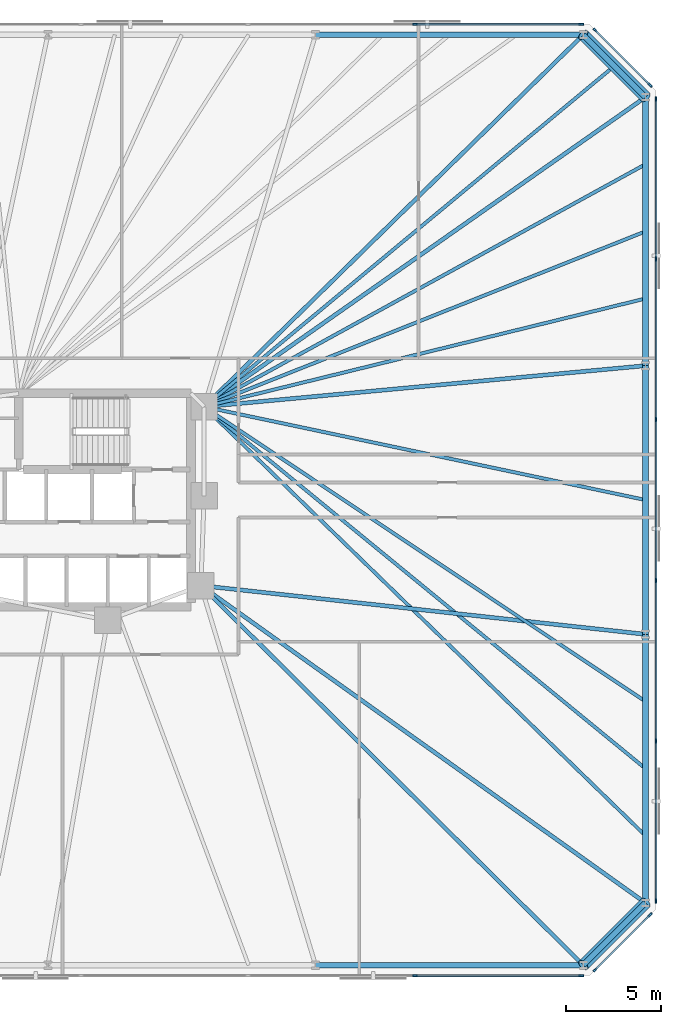
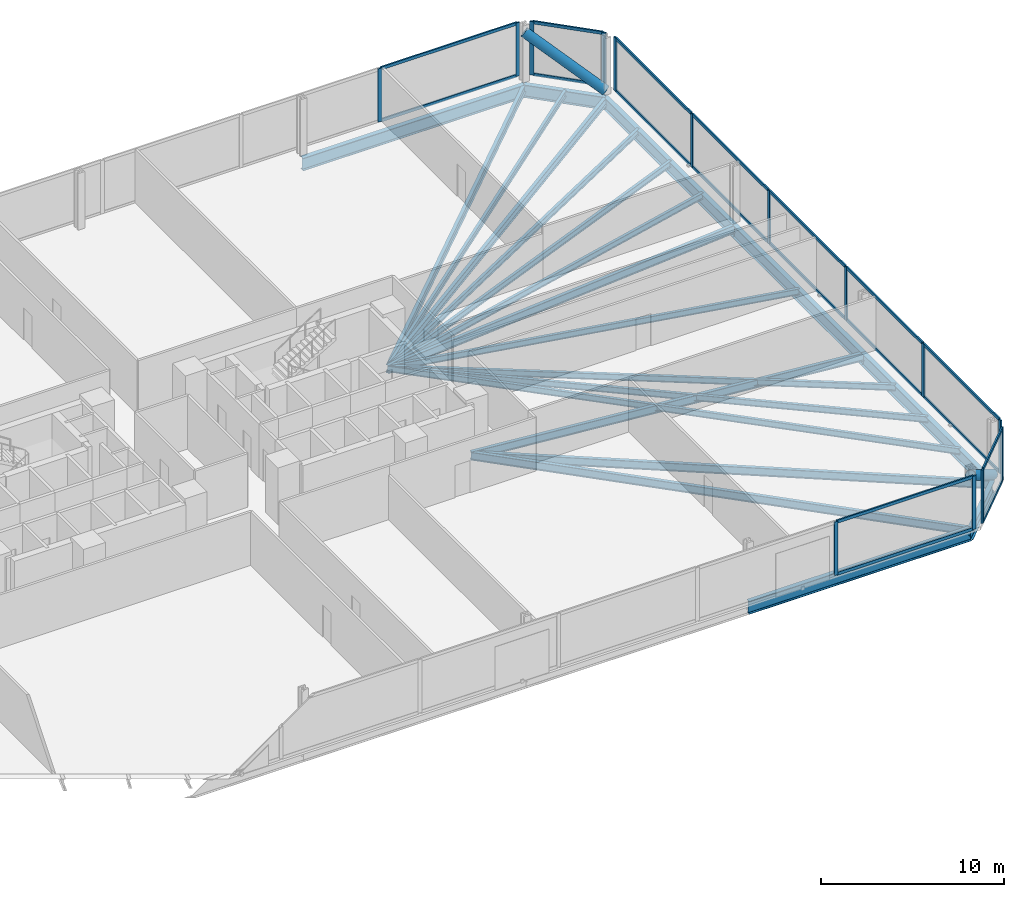
# One storey, part 10 of 17: 34 members, 21 beams, 5 elements without a shape of their own.
"""IFC4 building model written with IfcOpenShell, lengths in metres."""

from ifc_helpers import new_model, si_unit, direction, frame, origin, origin_2d, place, context, subcontext, project, spatial, rectangle, hollow_circle, i_section, extrude, material, material_profile, profile_set, type_object, element, aggregate, save


model = new_model("IFC4")

# Units and contexts
model_context = context("Model", 3, precision=1e-05, world=origin(), true_north=direction((0.0, 1.0)))
body_context = subcontext(model_context, "Body", "Model", "MODEL_VIEW")
ifc_project = project(units=[si_unit("LENGTHUNIT", "METRE"), si_unit("AREAUNIT", "SQUARE_METRE"), si_unit("VOLUMEUNIT", "CUBIC_METRE"), si_unit("PLANEANGLEUNIT", "RADIAN"), si_unit("MASSUNIT", "GRAM", prefix="KILO")], contexts=[model_context])

# Site, building, storey
site_placement = place(None, origin())
site = spatial("IfcSite", under=ifc_project, at=site_placement, CompositionType="ELEMENT")
building_placement = place(site_placement, origin())
building = spatial("IfcBuilding", under=site, at=building_placement, Name="Menara Jurai Vektor", CompositionType="ELEMENT")
storey_placement = place(building_placement, frame((0.0, 0.0, 21.800048828125)))
storey = spatial("IfcBuildingStorey", under=building, at=storey_placement, Name="L04", CompositionType="ELEMENT", Elevation=21.800048828125)

# Curtain wall, members
ifc_material_1 = material(Name="Anodised Pale Aluminium & Low-E Double Glazing", Category="aluminium")
curtain_wall_type = type_object("IfcCurtainWallType", Name="CW-BLK1", PredefinedType="NOTDEFINED", material=ifc_material_1)
curtain_wall_1_placement = place(storey_placement, origin())
curtain_wall_1 = element("IfcCurtainWall", 1, at=curtain_wall_1_placement, inside=storey, type_object=curtain_wall_type, Name="Unitised Curtain Wall L04 F01", PredefinedType="NOTDEFINED")
ifc_material_2 = material(Name="Anodised Pale Aluminium Mullion", Category="aluminium")
ifc_material_profile_1 = material_profile(ifc_material_2, rectangle(XDim=0.094970703125, YDim=0.239990234375, at=origin_2d()), Name="ALU MUL 95x240")
ifc_profile_set_1 = profile_set([ifc_material_profile_1], Name="Anodised Pale Aluminium Mullion")
member_type_1 = type_object("IfcMemberType", Name="CW-BLK1-MUL", PredefinedType="MULLION", material=ifc_profile_set_1)
member_1_placement = place(storey_placement, frame((26.340087890625, -25.0, 0.0), z_axis=(0.0, 0.0, 1.0), x_axis=(0.0, 1.0, 0.0)))
member_1 = element("IfcMember", 2, at=member_1_placement, type_object=member_type_1, Name="CW-01 mullion 8", PredefinedType="MULLION", context=body_context, shape_type="SweptSolid", body=[
    extrude(rectangle(XDim=0.094970703125, YDim=0.239990234375, at=origin_2d()), origin(), (0.0, 0.0, 1.0), 3.574951171875),
])
member_2_placement = place(storey_placement, frame((35.072509765625, -25.0, 0.0), z_axis=(0.0, 0.0, 1.0), x_axis=(0.0, 1.0, 0.0)))
member_2 = element("IfcMember", 3, at=member_2_placement, type_object=member_type_1, Name="CW-01 mullion 9", PredefinedType="MULLION", context=body_context, shape_type="SweptSolid", body=[
    extrude(rectangle(XDim=0.094970703125, YDim=0.239990234375, at=origin_2d()), origin(), (0.0, 0.0, 1.0), 3.574951171875),
])

curtain_wall_2_placement = place(storey_placement, origin())
curtain_wall_2 = element("IfcCurtainWall", 4, at=curtain_wall_2_placement, inside=storey, type_object=curtain_wall_type, Name="Unitised Curtain Wall L04 F02", PredefinedType="NOTDEFINED")
member_3_placement = place(storey_placement, frame((35.80224609375, -24.69775390625, 0.0), z_axis=(0.0, 0.0, 1.0), x_axis=(-0.707106781187, 0.707106781187, 0.0)))
member_3 = element("IfcMember", 5, at=member_3_placement, type_object=member_type_1, Name="CW-01 mullion 1", PredefinedType="MULLION", context=body_context, shape_type="SweptSolid", body=[
    extrude(rectangle(XDim=0.094970703125, YDim=0.239990234375, at=origin_2d()), origin(), (0.0, 0.0, 1.0), 3.574951171875),
])
member_4_placement = place(storey_placement, frame((38.69775390625, -21.80224609375, 0.0), z_axis=(0.0, 0.0, 1.0), x_axis=(-0.707106781187, 0.707106781187, 0.0)))
member_4 = element("IfcMember", 6, at=member_4_placement, type_object=member_type_1, Name="CW-01 mullion 2", PredefinedType="MULLION", context=body_context, shape_type="SweptSolid", body=[
    extrude(rectangle(XDim=0.094970703125, YDim=0.239990234375, at=origin_2d()), origin(), (0.0, 0.0, 1.0), 3.574951171875),
])

curtain_wall_3_placement = place(storey_placement, origin())
curtain_wall_3 = element("IfcCurtainWall", 7, at=curtain_wall_3_placement, inside=storey, type_object=curtain_wall_type, Name="Unitised Curtain Wall L04 F03", PredefinedType="NOTDEFINED")
member_5_placement = place(storey_placement, frame((39.0, -21.072509765625, 0.0), z_axis=(0.0, 0.0, 1.0), x_axis=(-1.0, 0.0, 0.0)))
member_5 = element("IfcMember", 8, at=member_5_placement, type_object=member_type_1, Name="CW-01 mullion 1", PredefinedType="MULLION", context=body_context, shape_type="SweptSolid", body=[
    extrude(rectangle(XDim=0.094970703125, YDim=0.239990234375, at=origin_2d()), origin(), (0.0, 0.0, 1.0), 3.574951171875),
])
member_6_placement = place(storey_placement, frame((39.0, -12.672119140625, 0.0), z_axis=(0.0, 0.0, 1.0), x_axis=(-1.0, 0.0, 0.0)))
member_6 = element("IfcMember", 9, at=member_6_placement, type_object=member_type_1, Name="CW-01 mullion 2", PredefinedType="MULLION", context=body_context, shape_type="SweptSolid", body=[
    extrude(rectangle(XDim=0.094970703125, YDim=0.239990234375, at=origin_2d()), origin(), (0.0, 0.0, 1.0), 3.574951171875),
])
member_7_placement = place(storey_placement, frame((39.0, -4.22412109375, 0.0), z_axis=(0.0, 0.0, 1.0), x_axis=(-1.0, 0.0, 0.0)))
member_7 = element("IfcMember", 10, at=member_7_placement, type_object=member_type_1, Name="CW-01 mullion 3", PredefinedType="MULLION", context=body_context, shape_type="SweptSolid", body=[
    extrude(rectangle(XDim=0.094970703125, YDim=0.239990234375, at=origin_2d()), origin(), (0.0, 0.0, 1.0), 3.574951171875),
])
member_8_placement = place(storey_placement, frame((39.0, 4.22412109375, 0.0), z_axis=(0.0, 0.0, 1.0), x_axis=(-1.0, 0.0, 0.0)))
member_8 = element("IfcMember", 11, at=member_8_placement, type_object=member_type_1, Name="CW-01 mullion 4", PredefinedType="MULLION", context=body_context, shape_type="SweptSolid", body=[
    extrude(rectangle(XDim=0.094970703125, YDim=0.239990234375, at=origin_2d()), origin(), (0.0, 0.0, 1.0), 3.574951171875),
])
member_9_placement = place(storey_placement, frame((39.0, 12.672119140625, 0.0), z_axis=(0.0, 0.0, 1.0), x_axis=(-1.0, 0.0, 0.0)))
member_9 = element("IfcMember", 12, at=member_9_placement, type_object=member_type_1, Name="CW-01 mullion 5", PredefinedType="MULLION", context=body_context, shape_type="SweptSolid", body=[
    extrude(rectangle(XDim=0.094970703125, YDim=0.239990234375, at=origin_2d()), origin(), (0.0, 0.0, 1.0), 3.574951171875),
])
member_10_placement = place(storey_placement, frame((39.0, 21.072509765625, 0.0), z_axis=(0.0, 0.0, 1.0), x_axis=(-1.0, 0.0, 0.0)))
member_10 = element("IfcMember", 13, at=member_10_placement, type_object=member_type_1, Name="CW-01 mullion 6", PredefinedType="MULLION", context=body_context, shape_type="SweptSolid", body=[
    extrude(rectangle(XDim=0.094970703125, YDim=0.239990234375, at=origin_2d()), origin(), (0.0, 0.0, 1.0), 3.574951171875),
])

curtain_wall_4_placement = place(storey_placement, origin())
curtain_wall_4 = element("IfcCurtainWall", 14, at=curtain_wall_4_placement, inside=storey, type_object=curtain_wall_type, Name="Unitised Curtain Wall L04 F04", PredefinedType="NOTDEFINED")
member_11_placement = place(storey_placement, frame((38.69775390625, 21.80224609375, 0.0), z_axis=(0.0, 0.0, 1.0), x_axis=(-0.707106781187, -0.707106781187, 0.0)))
member_11 = element("IfcMember", 15, at=member_11_placement, type_object=member_type_1, Name="CW-01 mullion 1", PredefinedType="MULLION", context=body_context, shape_type="SweptSolid", body=[
    extrude(rectangle(XDim=0.094970703125, YDim=0.239990234375, at=origin_2d()), origin(), (0.0, 0.0, 1.0), 3.574951171875),
])
member_12_placement = place(storey_placement, frame((35.80224609375, 24.69775390625, 0.0), z_axis=(0.0, 0.0, 1.0), x_axis=(-0.707106781187, -0.707106781187, 0.0)))
member_12 = element("IfcMember", 16, at=member_12_placement, type_object=member_type_1, Name="CW-01 mullion 2", PredefinedType="MULLION", context=body_context, shape_type="SweptSolid", body=[
    extrude(rectangle(XDim=0.094970703125, YDim=0.239990234375, at=origin_2d()), origin(), (0.0, 0.0, 1.0), 3.574951171875),
])

curtain_wall_5_placement = place(storey_placement, origin())
curtain_wall_5 = element("IfcCurtainWall", 17, at=curtain_wall_5_placement, inside=storey, type_object=curtain_wall_type, Name="Unitised Curtain Wall L04 F05", PredefinedType="NOTDEFINED")
member_13_placement = place(storey_placement, frame((35.072509765625, 25.0, 0.0), z_axis=(0.0, 0.0, 1.0), x_axis=(0.0, -1.0, 0.0)))
member_13 = element("IfcMember", 18, at=member_13_placement, type_object=member_type_1, Name="CW-01 mullion 1", PredefinedType="MULLION", context=body_context, shape_type="SweptSolid", body=[
    extrude(rectangle(XDim=0.094970703125, YDim=0.239990234375, at=origin_2d()), origin(), (0.0, 0.0, 1.0), 3.574951171875),
])
member_14_placement = place(storey_placement, frame((26.340087890625, 25.0, 0.0), z_axis=(0.0, 0.0, 1.0), x_axis=(0.0, -1.0, 0.0)))
member_14 = element("IfcMember", 19, at=member_14_placement, type_object=member_type_1, Name="CW-01 mullion 2", PredefinedType="MULLION", context=body_context, shape_type="SweptSolid", body=[
    extrude(rectangle(XDim=0.094970703125, YDim=0.239990234375, at=origin_2d()), origin(), (0.0, 0.0, 1.0), 3.574951171875),
])

# Member
ifc_material_3 = material(Name="Anodised Pale Aluminium Transom", Category="aluminium")
ifc_material_profile_2 = material_profile(ifc_material_3, rectangle(XDim=0.094970703125, YDim=0.199951171875, at=origin_2d()), Name="ALU TRN 95x200")
ifc_profile_set_2 = profile_set([ifc_material_profile_2], Name="Anodised Pale Aluminium Transom")
member_type_2 = type_object("IfcMemberType", Name="CW-BLK1-TRN", PredefinedType="USERDEFINED", material=ifc_profile_set_2)
member_15_placement = place(storey_placement, frame((26.387451171875, -25.0, 0.04736328125), z_axis=(1.0, 0.0, 0.0), x_axis=(0.0, 1.0, 0.0)))
member_15 = element("IfcMember", 20, at=member_15_placement, type_object=member_type_2, Name="CW-01 transom 8.1", ObjectType="TRANSOM", PredefinedType="USERDEFINED", context=body_context, shape_type="SweptSolid", body=[
    extrude(rectangle(XDim=0.094970703125, YDim=0.199951171875, at=origin_2d()), origin(), (0.0, 0.0, 1.0), 8.637451171875),
])

member_16_placement = place(storey_placement, frame((26.387451171875, -25.0, 3.52734375), z_axis=(1.0, 0.0, 0.0), x_axis=(0.0, 1.0, 0.0)))
member_16 = element("IfcMember", 21, at=member_16_placement, type_object=member_type_2, Name="CW-01 transom 8.2", ObjectType="TRANSOM", PredefinedType="USERDEFINED", context=body_context, shape_type="SweptSolid", body=[
    extrude(rectangle(XDim=0.094970703125, YDim=0.199951171875, at=origin_2d()), origin(), (0.0, 0.0, 1.0), 8.637451171875),
])

aggregate(curtain_wall_1, [member_1, member_2, member_15, member_16])

member_17_placement = place(storey_placement, frame((35.8359375, -24.6640625, 0.04736328125), z_axis=(0.707106781187, 0.707106781187, 0.0), x_axis=(-0.707106781187, 0.707106781187, 0.0)))
member_17 = element("IfcMember", 22, at=member_17_placement, type_object=member_type_2, Name="CW-01 transom 1.1", ObjectType="TRANSOM", PredefinedType="USERDEFINED", context=body_context, shape_type="SweptSolid", body=[
    extrude(rectangle(XDim=0.094970703125, YDim=0.199951171875, at=origin_2d()), origin(), (0.0, 0.0, 1.0), 3.99951171875),
])

member_18_placement = place(storey_placement, frame((35.8359375, -24.6640625, 3.52734375), z_axis=(0.707106781187, 0.707106781187, 0.0), x_axis=(-0.707106781187, 0.707106781187, 0.0)))
member_18 = element("IfcMember", 23, at=member_18_placement, type_object=member_type_2, Name="CW-01 transom 1.2", ObjectType="TRANSOM", PredefinedType="USERDEFINED", context=body_context, shape_type="SweptSolid", body=[
    extrude(rectangle(XDim=0.094970703125, YDim=0.199951171875, at=origin_2d()), origin(), (0.0, 0.0, 1.0), 3.99951171875),
])

aggregate(curtain_wall_2, [member_3, member_4, member_17, member_18])

member_19_placement = place(storey_placement, frame((39.0, -21.02490234375, 0.04736328125), z_axis=(0.0, 1.0, 0.0), x_axis=(-1.0, 0.0, 0.0)))
member_19 = element("IfcMember", 24, at=member_19_placement, type_object=member_type_2, Name="CW-01 transom 1.1", ObjectType="TRANSOM", PredefinedType="USERDEFINED", context=body_context, shape_type="SweptSolid", body=[
    extrude(rectangle(XDim=0.094970703125, YDim=0.199951171875, at=origin_2d()), origin(), (0.0, 0.0, 1.0), 8.305419921875),
])

member_20_placement = place(storey_placement, frame((39.0, -21.02490234375, 3.52734375), z_axis=(0.0, 1.0, 0.0), x_axis=(-1.0, 0.0, 0.0)))
member_20 = element("IfcMember", 25, at=member_20_placement, type_object=member_type_2, Name="CW-01 transom 1.2", ObjectType="TRANSOM", PredefinedType="USERDEFINED", context=body_context, shape_type="SweptSolid", body=[
    extrude(rectangle(XDim=0.094970703125, YDim=0.199951171875, at=origin_2d()), origin(), (0.0, 0.0, 1.0), 8.305419921875),
])

member_21_placement = place(storey_placement, frame((39.0, -12.62451171875, 0.04736328125), z_axis=(0.0, 1.0, 0.0), x_axis=(-1.0, 0.0, 0.0)))
member_21 = element("IfcMember", 26, at=member_21_placement, type_object=member_type_2, Name="CW-01 transom 2.1", ObjectType="TRANSOM", PredefinedType="USERDEFINED", context=body_context, shape_type="SweptSolid", body=[
    extrude(rectangle(XDim=0.094970703125, YDim=0.199951171875, at=origin_2d()), origin(), (0.0, 0.0, 1.0), 8.35302734375),
])

member_22_placement = place(storey_placement, frame((39.0, -12.62451171875, 3.52734375), z_axis=(0.0, 1.0, 0.0), x_axis=(-1.0, 0.0, 0.0)))
member_22 = element("IfcMember", 27, at=member_22_placement, type_object=member_type_2, Name="CW-01 transom 2.2", ObjectType="TRANSOM", PredefinedType="USERDEFINED", context=body_context, shape_type="SweptSolid", body=[
    extrude(rectangle(XDim=0.094970703125, YDim=0.199951171875, at=origin_2d()), origin(), (0.0, 0.0, 1.0), 8.35302734375),
])

member_23_placement = place(storey_placement, frame((39.0, -4.176513671875, 0.04736328125), z_axis=(0.0, 1.0, 0.0), x_axis=(-1.0, 0.0, 0.0)))
member_23 = element("IfcMember", 28, at=member_23_placement, type_object=member_type_2, Name="CW-01 transom 3.1", ObjectType="TRANSOM", PredefinedType="USERDEFINED", context=body_context, shape_type="SweptSolid", body=[
    extrude(rectangle(XDim=0.094970703125, YDim=0.199951171875, at=origin_2d()), origin(), (0.0, 0.0, 1.0), 8.35302734375),
])

member_24_placement = place(storey_placement, frame((39.0, -4.176513671875, 3.52734375), z_axis=(0.0, 1.0, 0.0), x_axis=(-1.0, 0.0, 0.0)))
member_24 = element("IfcMember", 29, at=member_24_placement, type_object=member_type_2, Name="CW-01 transom 3.2", ObjectType="TRANSOM", PredefinedType="USERDEFINED", context=body_context, shape_type="SweptSolid", body=[
    extrude(rectangle(XDim=0.094970703125, YDim=0.199951171875, at=origin_2d()), origin(), (0.0, 0.0, 1.0), 8.35302734375),
])

member_25_placement = place(storey_placement, frame((39.0, 4.271484375, 0.04736328125), z_axis=(0.0, 1.0, 0.0), x_axis=(-1.0, 0.0, 0.0)))
member_25 = element("IfcMember", 30, at=member_25_placement, type_object=member_type_2, Name="CW-01 transom 4.1", ObjectType="TRANSOM", PredefinedType="USERDEFINED", context=body_context, shape_type="SweptSolid", body=[
    extrude(rectangle(XDim=0.094970703125, YDim=0.199951171875, at=origin_2d()), origin(), (0.0, 0.0, 1.0), 8.35302734375),
])

member_26_placement = place(storey_placement, frame((39.0, 4.271484375, 3.52734375), z_axis=(0.0, 1.0, 0.0), x_axis=(-1.0, 0.0, 0.0)))
member_26 = element("IfcMember", 31, at=member_26_placement, type_object=member_type_2, Name="CW-01 transom 4.2", ObjectType="TRANSOM", PredefinedType="USERDEFINED", context=body_context, shape_type="SweptSolid", body=[
    extrude(rectangle(XDim=0.094970703125, YDim=0.199951171875, at=origin_2d()), origin(), (0.0, 0.0, 1.0), 8.35302734375),
])

member_27_placement = place(storey_placement, frame((39.0, 12.719482421875, 0.04736328125), z_axis=(0.0, 1.0, 0.0), x_axis=(-1.0, 0.0, 0.0)))
member_27 = element("IfcMember", 32, at=member_27_placement, type_object=member_type_2, Name="CW-01 transom 5.1", ObjectType="TRANSOM", PredefinedType="USERDEFINED", context=body_context, shape_type="SweptSolid", body=[
    extrude(rectangle(XDim=0.094970703125, YDim=0.199951171875, at=origin_2d()), origin(), (0.0, 0.0, 1.0), 8.305419921875),
])

member_28_placement = place(storey_placement, frame((39.0, 12.719482421875, 3.52734375), z_axis=(0.0, 1.0, 0.0), x_axis=(-1.0, 0.0, 0.0)))
member_28 = element("IfcMember", 33, at=member_28_placement, type_object=member_type_2, Name="CW-01 transom 5.2", ObjectType="TRANSOM", PredefinedType="USERDEFINED", context=body_context, shape_type="SweptSolid", body=[
    extrude(rectangle(XDim=0.094970703125, YDim=0.199951171875, at=origin_2d()), origin(), (0.0, 0.0, 1.0), 8.305419921875),
])

aggregate(curtain_wall_3, [member_5, member_6, member_7, member_8, member_9, member_10, member_19, member_20, member_21, member_22, member_23, member_24, member_25, member_26, member_27, member_28])

member_29_placement = place(storey_placement, frame((38.6640625, 21.8359375, 0.04736328125), z_axis=(-0.707106781187, 0.707106781187, 0.0), x_axis=(-0.707106781187, -0.707106781187, 0.0)))
member_29 = element("IfcMember", 34, at=member_29_placement, type_object=member_type_2, Name="CW-01 transom 1.1", ObjectType="TRANSOM", PredefinedType="USERDEFINED", context=body_context, shape_type="SweptSolid", body=[
    extrude(rectangle(XDim=0.094970703125, YDim=0.199951171875, at=origin_2d()), origin(), (0.0, 0.0, 1.0), 3.99951171875),
])

member_30_placement = place(storey_placement, frame((38.6640625, 21.8359375, 3.52734375), z_axis=(-0.707106781187, 0.707106781187, 0.0), x_axis=(-0.707106781187, -0.707106781187, 0.0)))
member_30 = element("IfcMember", 35, at=member_30_placement, type_object=member_type_2, Name="CW-01 transom 1.2", ObjectType="TRANSOM", PredefinedType="USERDEFINED", context=body_context, shape_type="SweptSolid", body=[
    extrude(rectangle(XDim=0.094970703125, YDim=0.199951171875, at=origin_2d()), origin(), (0.0, 0.0, 1.0), 3.99951171875),
])

aggregate(curtain_wall_4, [member_11, member_12, member_29, member_30])

member_31_placement = place(storey_placement, frame((35.02490234375, 25.0, 0.04736328125), z_axis=(-1.0, 0.0, 0.0), x_axis=(0.0, -1.0, 0.0)))
member_31 = element("IfcMember", 36, at=member_31_placement, type_object=member_type_2, Name="CW-01 transom 1.1", ObjectType="TRANSOM", PredefinedType="USERDEFINED", context=body_context, shape_type="SweptSolid", body=[
    extrude(rectangle(XDim=0.094970703125, YDim=0.199951171875, at=origin_2d()), origin(), (0.0, 0.0, 1.0), 8.637451171875),
])

member_32_placement = place(storey_placement, frame((35.02490234375, 25.0, 3.52734375), z_axis=(-1.0, 0.0, 0.0), x_axis=(0.0, -1.0, 0.0)))
member_32 = element("IfcMember", 37, at=member_32_placement, type_object=member_type_2, Name="CW-01 transom 1.2", ObjectType="TRANSOM", PredefinedType="USERDEFINED", context=body_context, shape_type="SweptSolid", body=[
    extrude(rectangle(XDim=0.094970703125, YDim=0.199951171875, at=origin_2d()), origin(), (0.0, 0.0, 1.0), 8.637451171875),
])

aggregate(curtain_wall_5, [member_13, member_14, member_31, member_32])

# Beams
ifc_material_4 = material(Name="Steel S355", Category="steel")
ifc_material_profile_3 = material_profile(ifc_material_4, i_section(OverallWidth=0.2109375, OverallDepth=0.5390625, WebThickness=0.011962890625, FlangeThickness=0.01904296875, FilletRadius=0.012939453125, at=origin_2d()), Name="UKB 533x210x109")
ifc_profile_set_3 = profile_set([ifc_material_profile_3], Name="Steel S355")
beam_type_1 = type_object("IfcBeamType", Name="STR-BM-533", PredefinedType="BEAM", material=ifc_profile_set_3)
beam_1_placement = place(storey_placement, frame((35.177734375, -24.449951171875, -0.49462890625), z_axis=(-0.709709931659, 0.704494011972, 0.0), x_axis=(-0.704494011972, -0.709709931659, 0.0)))
element("IfcBeam", 38, at=beam_1_placement, inside=storey, type_object=beam_type_1, Name="Radial Floor Girder L04-S6", PredefinedType="BEAM", context=body_context, shape_type="SweptSolid", body=[
    extrude(i_section(OverallWidth=0.2109375, OverallDepth=0.5390625, WebThickness=0.011962890625, FlangeThickness=0.01904296875, FilletRadius=0.012939453125, at=origin_2d()), origin(), (0.0, 0.0, 1.0), 28.318115234375),
])
beam_2_placement = place(storey_placement, frame((38.449951171875, -21.177734375, -0.49462890625), z_axis=(-0.813981033216, 0.580891450759, 0.0), x_axis=(-0.580891450759, -0.813981033216, 0.0)))
element("IfcBeam", 39, at=beam_2_placement, inside=storey, type_object=beam_type_1, Name="Radial Floor Girder L04-E1", PredefinedType="BEAM", context=body_context, shape_type="SweptSolid", body=[
    extrude(i_section(OverallWidth=0.2109375, OverallDepth=0.5390625, WebThickness=0.011962890625, FlangeThickness=0.01904296875, FilletRadius=0.012939453125, at=origin_2d()), origin(), (0.0, 0.0, 1.0), 28.710693359375),
])
beam_3_placement = place(storey_placement, frame((38.449951171875, -7.059326171875, -0.49462890625), z_axis=(-0.994056757953, 0.108863042253, 0.0), x_axis=(-0.108863042253, -0.994056757953, 0.0)))
element("IfcBeam", 40, at=beam_3_placement, inside=storey, type_object=beam_type_1, Name="Radial Floor Girder L04-E2", PredefinedType="BEAM", context=body_context, shape_type="SweptSolid", body=[
    extrude(i_section(OverallWidth=0.2109375, OverallDepth=0.5390625, WebThickness=0.011962890625, FlangeThickness=0.01904296875, FilletRadius=0.012939453125, at=origin_2d()), origin(), (0.0, 0.0, 1.0), 23.509521484375),
])
beam_4_placement = place(storey_placement, frame((38.449951171875, 7.059326171875, -0.49462890625), z_axis=(-0.995696113112, -0.092678208514, 0.0), x_axis=(0.092678208514, -0.995696113112, 0.0)))
element("IfcBeam", 41, at=beam_4_placement, inside=storey, type_object=beam_type_1, Name="Radial Floor Girder L04-E3", PredefinedType="BEAM", context=body_context, shape_type="SweptSolid", body=[
    extrude(i_section(OverallWidth=0.2109375, OverallDepth=0.5390625, WebThickness=0.011962890625, FlangeThickness=0.01904296875, FilletRadius=0.012939453125, at=origin_2d()), origin(), (0.0, 0.0, 1.0), 23.30029296875),
])
beam_5_placement = place(storey_placement, frame((38.449951171875, 21.177734375, -0.49462890625), z_axis=(-0.818603732445, -0.574358711283, 0.0), x_axis=(0.574358711283, -0.818603732445, 0.0)))
element("IfcBeam", 42, at=beam_5_placement, inside=storey, type_object=beam_type_1, Name="Radial Floor Girder L04-E4", PredefinedType="BEAM", context=body_context, shape_type="SweptSolid", body=[
    extrude(i_section(OverallWidth=0.2109375, OverallDepth=0.5390625, WebThickness=0.011962890625, FlangeThickness=0.01904296875, FilletRadius=0.012939453125, at=origin_2d()), origin(), (0.0, 0.0, 1.0), 28.3408203125),
])
beam_6_placement = place(storey_placement, frame((35.177734375, 24.449951171875, -0.49462890625), z_axis=(-0.713839032855, -0.700309813706, 0.0), x_axis=(0.700309813706, -0.713839032855, 0.0)))
element("IfcBeam", 43, at=beam_6_placement, inside=storey, type_object=beam_type_1, Name="Radial Floor Girder L04-N1", PredefinedType="BEAM", context=body_context, shape_type="SweptSolid", body=[
    extrude(i_section(OverallWidth=0.2109375, OverallDepth=0.5390625, WebThickness=0.011962890625, FlangeThickness=0.01904296875, FilletRadius=0.012939453125, at=origin_2d()), origin(), (0.0, 0.0, 1.0), 27.916259765625),
])

# Members
ifc_material_5 = material(Name="Steel S460", Category="steel")
ifc_material_profile_4 = material_profile(ifc_material_5, hollow_circle(Radius=0.304931640625, WallThickness=0.02490234375, at=origin_2d()), Name="CHS 610x25")
ifc_profile_set_4 = profile_set([ifc_material_profile_4], Name="Steel S460")
member_type_3 = type_object("IfcMemberType", Name="STR-BR-610", PredefinedType="BRACE", material=ifc_profile_set_4)
for number, where, z_axis, x_axis, name in (
    (44, (38.449951171875, -21.177734375, 0.14990234375), (-0.588942422958, -0.588942422958, 0.553438022619), (0.707106781187, -0.707106781187, 0.0), "Exoskeleton Corner Brace L04-1"),
    (45, (38.449951171875, 21.177734375, 0.14990234375), (-0.588942422958, 0.588942422958, 0.553438022619), (-0.707106781187, -0.707106781187, 0.0), "Exoskeleton Corner Brace L04-2"),
):
    element("IfcMember", number, at=place(storey_placement, frame(where, z_axis=z_axis, x_axis=x_axis)), inside=storey, type_object=member_type_3, Name=name, PredefinedType="BRACE", context=body_context, shape_type="SweptSolid", body=[
        extrude(hollow_circle(Radius=0.304931640625, WallThickness=0.02490234375, at=origin_2d()), origin(), (0.0, 0.0, 1.0), 5.55615234375),
    ])

# Beams
ifc_material_profile_5 = material_profile(ifc_material_4, i_section(OverallWidth=0.178955078125, OverallDepth=0.408935546875, WebThickness=0.009033203125, FlangeThickness=0.013916015625, FilletRadius=0.010009765625, at=origin_2d()), Name="UKB 406x178x67")
ifc_profile_set_5 = profile_set([ifc_material_profile_5], Name="Steel S355")
beam_type_2 = type_object("IfcBeamType", Name="STR-JS-406", PredefinedType="JOIST", material=ifc_profile_set_5)
beam_7_placement = place(storey_placement, frame((38.449951171875, -17.648193359375, -0.429443359375), z_axis=(-0.71710942187, 0.696960599363, 0.0), x_axis=(-0.696960599363, -0.71710942187, 0.0)))
element("IfcBeam", 46, at=beam_7_placement, inside=storey, type_object=beam_type_2, Name="Radial Secondary Floor Joist L04-JS08", PredefinedType="JOIST", context=body_context, shape_type="SweptSolid", body=[
    extrude(i_section(OverallWidth=0.178955078125, OverallDepth=0.408935546875, WebThickness=0.009033203125, FlangeThickness=0.013916015625, FilletRadius=0.010009765625, at=origin_2d()), origin(), (0.0, 0.0, 1.0), 32.35205078125),
])
beam_8_placement = place(storey_placement, frame((38.449951171875, -14.118408203125, -0.429443359375), z_axis=(-0.773360118456, 0.633966976413, 0.0), x_axis=(-0.633966976413, -0.773360118456, 0.0)))
element("IfcBeam", 47, at=beam_8_placement, inside=storey, type_object=beam_type_2, Name="Radial Secondary Floor Joist L04-JS09", PredefinedType="JOIST", context=body_context, shape_type="SweptSolid", body=[
    extrude(i_section(OverallWidth=0.178955078125, OverallDepth=0.408935546875, WebThickness=0.009033203125, FlangeThickness=0.013916015625, FilletRadius=0.010009765625, at=origin_2d()), origin(), (0.0, 0.0, 1.0), 29.998779296875),
])
beam_9_placement = place(storey_placement, frame((38.449951171875, -10.5888671875, -0.429443359375), z_axis=(-0.831683872109, 0.555249436627, 0.0), x_axis=(-0.555249436627, -0.831683872109, 0.0)))
element("IfcBeam", 48, at=beam_9_placement, inside=storey, type_object=beam_type_2, Name="Radial Secondary Floor Joist L04-JS10", PredefinedType="JOIST", context=body_context, shape_type="SweptSolid", body=[
    extrude(i_section(OverallWidth=0.178955078125, OverallDepth=0.408935546875, WebThickness=0.009033203125, FlangeThickness=0.013916015625, FilletRadius=0.010009765625, at=origin_2d()), origin(), (0.0, 0.0, 1.0), 27.895263671875),
])
beam_10_placement = place(storey_placement, frame((38.449951171875, 0.0, -0.429443359375), z_axis=(-0.978416084102, 0.206644541109, 0.0), x_axis=(-0.206644541109, -0.978416084102, 0.0)))
element("IfcBeam", 49, at=beam_10_placement, inside=storey, type_object=beam_type_2, Name="Radial Secondary Floor Joist L04-JS11", PredefinedType="JOIST", context=body_context, shape_type="SweptSolid", body=[
    extrude(i_section(OverallWidth=0.178955078125, OverallDepth=0.408935546875, WebThickness=0.009033203125, FlangeThickness=0.013916015625, FilletRadius=0.010009765625, at=origin_2d()), origin(), (0.0, 0.0, 1.0), 23.711669921875),
])
beam_11_placement = place(storey_placement, frame((38.449951171875, 10.5888671875, -0.429443359375), z_axis=(-0.971226234641, -0.238158772976, 0.0), x_axis=(0.238158772976, -0.971226234641, 0.0)))
element("IfcBeam", 50, at=beam_11_placement, inside=storey, type_object=beam_type_2, Name="Radial Secondary Floor Joist L04-JS12", PredefinedType="JOIST", context=body_context, shape_type="SweptSolid", body=[
    extrude(i_section(OverallWidth=0.178955078125, OverallDepth=0.408935546875, WebThickness=0.009033203125, FlangeThickness=0.013916015625, FilletRadius=0.010009765625, at=origin_2d()), origin(), (0.0, 0.0, 1.0), 23.88720703125),
])
beam_12_placement = place(storey_placement, frame((38.449951171875, 14.118408203125, -0.429443359375), z_axis=(-0.929323400723, -0.369266864027, 0.0), x_axis=(0.369266864027, -0.929323400723, 0.0)))
element("IfcBeam", 51, at=beam_12_placement, inside=storey, type_object=beam_type_2, Name="Radial Secondary Floor Joist L04-JS13", PredefinedType="JOIST", context=body_context, shape_type="SweptSolid", body=[
    extrude(i_section(OverallWidth=0.178955078125, OverallDepth=0.408935546875, WebThickness=0.009033203125, FlangeThickness=0.013916015625, FilletRadius=0.010009765625, at=origin_2d()), origin(), (0.0, 0.0, 1.0), 24.96435546875),
])
beam_13_placement = place(storey_placement, frame((38.449951171875, 17.648193359375, -0.429443359375), z_axis=(-0.87640219057, -0.481579900291, 0.0), x_axis=(0.481579900291, -0.87640219057, 0.0)))
element("IfcBeam", 52, at=beam_13_placement, inside=storey, type_object=beam_type_2, Name="Radial Secondary Floor Joist L04-JS14", PredefinedType="JOIST", context=body_context, shape_type="SweptSolid", body=[
    extrude(i_section(OverallWidth=0.178955078125, OverallDepth=0.408935546875, WebThickness=0.009033203125, FlangeThickness=0.013916015625, FilletRadius=0.010009765625, at=origin_2d()), origin(), (0.0, 0.0, 1.0), 26.471923828125),
])
beam_14_placement = place(storey_placement, frame((36.81396484375, 22.81396484375, -0.429443359375), z_axis=(-0.769201173096, -0.639006694259, 0.0), x_axis=(0.639006694259, -0.769201173096, 0.0)))
element("IfcBeam", 53, at=beam_14_placement, inside=storey, type_object=beam_type_2, Name="Radial Secondary Floor Joist L04-JS15", PredefinedType="JOIST", context=body_context, shape_type="SweptSolid", body=[
    extrude(i_section(OverallWidth=0.178955078125, OverallDepth=0.408935546875, WebThickness=0.009033203125, FlangeThickness=0.013916015625, FilletRadius=0.010009765625, at=origin_2d()), origin(), (0.0, 0.0, 1.0), 28.0341796875),
])
ifc_material_profile_6 = material_profile(ifc_material_5, i_section(OverallWidth=0.2939453125, OverallDepth=0.85107421875, WebThickness=0.01611328125, FlangeThickness=0.027099609375, FilletRadius=0.01806640625, at=origin_2d()), Name="UKB 838x292x226")
ifc_profile_set_6 = profile_set([ifc_material_profile_6], Name="Steel S460")
beam_type_3 = type_object("IfcBeamType", Name="STR-SP-838", PredefinedType="SPANDREL", material=ifc_profile_set_6)
beam_15_placement = place(storey_placement, frame((21.106689453125, -24.449951171875, -0.650634765625), z_axis=(1.0, 0.0, 0.0), x_axis=(0.0, 1.0, 0.0)))
element("IfcBeam", 54, at=beam_15_placement, inside=storey, type_object=beam_type_3, Name="Exoskeleton Spandrel Beam L04-05", PredefinedType="SPANDREL", context=body_context, shape_type="SweptSolid", body=[
    extrude(i_section(OverallWidth=0.2939453125, OverallDepth=0.85107421875, WebThickness=0.01611328125, FlangeThickness=0.027099609375, FilletRadius=0.01806640625, at=origin_2d()), origin(), (0.0, 0.0, 1.0), 14.071044921875),
])
beam_16_placement = place(storey_placement, frame((35.177734375, -24.449951171875, -0.650634765625), z_axis=(0.707106781187, 0.707106781187, 0.0), x_axis=(-0.707106781187, 0.707106781187, 0.0)))
element("IfcBeam", 55, at=beam_16_placement, inside=storey, type_object=beam_type_3, Name="Exoskeleton Spandrel Beam L04-06", PredefinedType="SPANDREL", context=body_context, shape_type="SweptSolid", body=[
    extrude(i_section(OverallWidth=0.2939453125, OverallDepth=0.85107421875, WebThickness=0.01611328125, FlangeThickness=0.027099609375, FilletRadius=0.01806640625, at=origin_2d()), origin(), (0.0, 0.0, 1.0), 4.627685546875),
])
beam_17_placement = place(storey_placement, frame((38.449951171875, -21.177734375, -0.650634765625), z_axis=(0.0, 1.0, 0.0), x_axis=(-1.0, 0.0, 0.0)))
element("IfcBeam", 56, at=beam_17_placement, inside=storey, type_object=beam_type_3, Name="Exoskeleton Spandrel Beam L04-07", PredefinedType="SPANDREL", context=body_context, shape_type="SweptSolid", body=[
    extrude(i_section(OverallWidth=0.2939453125, OverallDepth=0.85107421875, WebThickness=0.01611328125, FlangeThickness=0.027099609375, FilletRadius=0.01806640625, at=origin_2d()), origin(), (0.0, 0.0, 1.0), 14.118408203125),
])
beam_18_placement = place(storey_placement, frame((38.449951171875, -7.059326171875, -0.650634765625), z_axis=(0.0, 1.0, 0.0), x_axis=(-1.0, 0.0, 0.0)))
element("IfcBeam", 57, at=beam_18_placement, inside=storey, type_object=beam_type_3, Name="Exoskeleton Spandrel Beam L04-08", PredefinedType="SPANDREL", context=body_context, shape_type="SweptSolid", body=[
    extrude(i_section(OverallWidth=0.2939453125, OverallDepth=0.85107421875, WebThickness=0.01611328125, FlangeThickness=0.027099609375, FilletRadius=0.01806640625, at=origin_2d()), origin(), (0.0, 0.0, 1.0), 14.11865234375),
])
beam_19_placement = place(storey_placement, frame((38.449951171875, 7.059326171875, -0.650634765625), z_axis=(0.0, 1.0, 0.0), x_axis=(-1.0, 0.0, 0.0)))
element("IfcBeam", 58, at=beam_19_placement, inside=storey, type_object=beam_type_3, Name="Exoskeleton Spandrel Beam L04-09", PredefinedType="SPANDREL", context=body_context, shape_type="SweptSolid", body=[
    extrude(i_section(OverallWidth=0.2939453125, OverallDepth=0.85107421875, WebThickness=0.01611328125, FlangeThickness=0.027099609375, FilletRadius=0.01806640625, at=origin_2d()), origin(), (0.0, 0.0, 1.0), 14.118408203125),
])
beam_20_placement = place(storey_placement, frame((38.449951171875, 21.177734375, -0.650634765625), z_axis=(-0.707106781187, 0.707106781187, 0.0), x_axis=(-0.707106781187, -0.707106781187, 0.0)))
element("IfcBeam", 59, at=beam_20_placement, inside=storey, type_object=beam_type_3, Name="Exoskeleton Spandrel Beam L04-10", PredefinedType="SPANDREL", context=body_context, shape_type="SweptSolid", body=[
    extrude(i_section(OverallWidth=0.2939453125, OverallDepth=0.85107421875, WebThickness=0.01611328125, FlangeThickness=0.027099609375, FilletRadius=0.01806640625, at=origin_2d()), origin(), (0.0, 0.0, 1.0), 4.627685546875),
])
beam_21_placement = place(storey_placement, frame((35.177734375, 24.449951171875, -0.650634765625), z_axis=(-1.0, 0.0, 0.0), x_axis=(0.0, -1.0, 0.0)))
element("IfcBeam", 60, at=beam_21_placement, inside=storey, type_object=beam_type_3, Name="Exoskeleton Spandrel Beam L04-11", PredefinedType="SPANDREL", context=body_context, shape_type="SweptSolid", body=[
    extrude(i_section(OverallWidth=0.2939453125, OverallDepth=0.85107421875, WebThickness=0.01611328125, FlangeThickness=0.027099609375, FilletRadius=0.01806640625, at=origin_2d()), origin(), (0.0, 0.0, 1.0), 14.071044921875),
])

save(model, "model.ifc")
